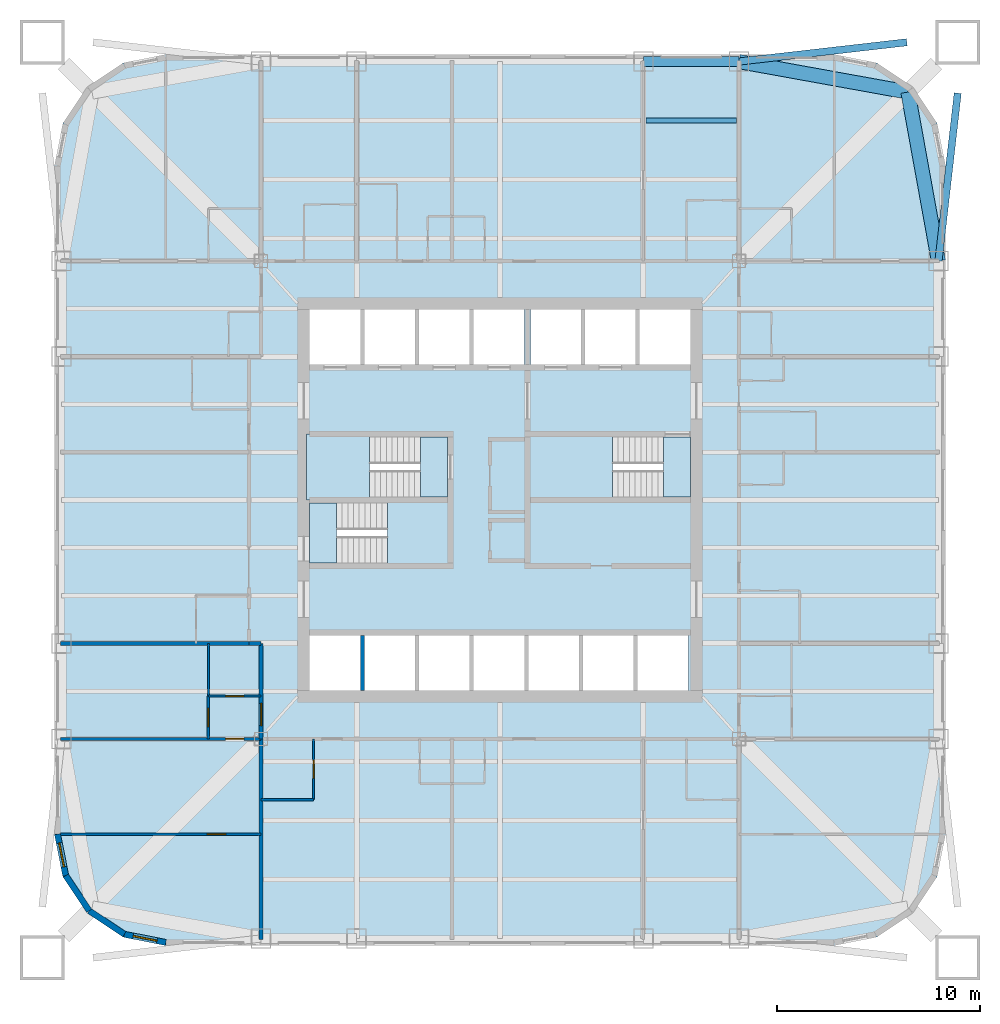
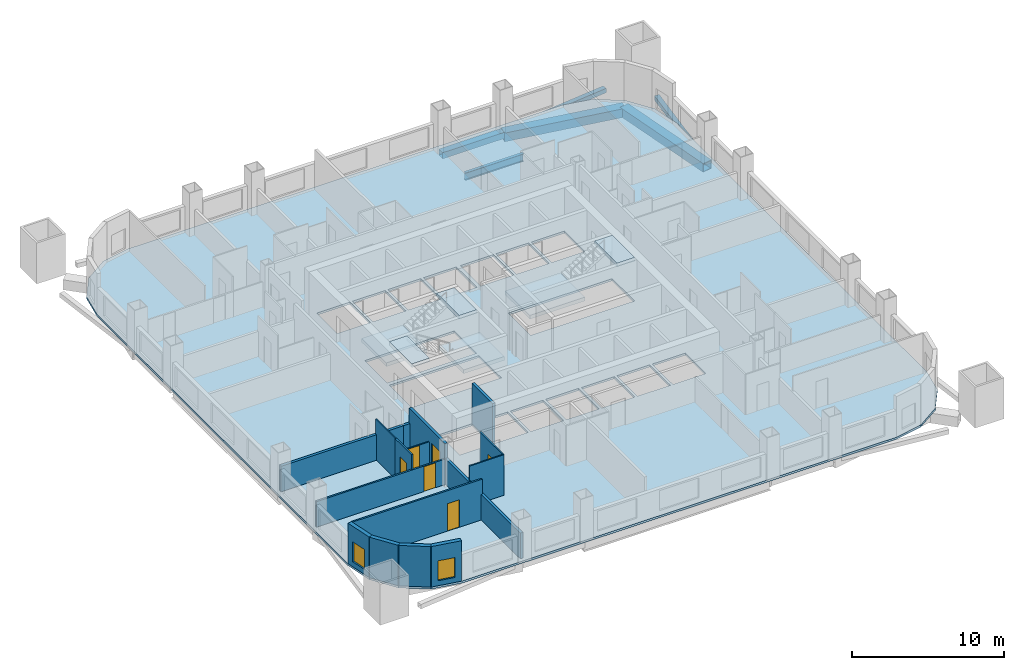
# One storey, part 2 of 9: 16 walls, 7 slabs, 6 beams, 6 doors, 2 windows, 8 openings, 3 elements without a shape of their own.
"""IFC4 building model written with IfcOpenShell, lengths in metres."""

from ifc_helpers import new_model, si_unit, direction, frame, frame_2d, origin, origin_2d, place, context, subcontext, project, spatial, polyline, rectangle, hollow_rectangle, i_section, outline, extrude, material, layer, layer_set, material_profile, profile_set, type_object, element, fill, aggregate, save


model = new_model("IFC4")

# Units and contexts
model_context = context("Model", 3, precision=1e-05, world=origin(), true_north=direction((0.0, 1.0)))
body_context = subcontext(model_context, "Body", "Model", "MODEL_VIEW")
ifc_project = project(units=[si_unit("LENGTHUNIT", "METRE"), si_unit("AREAUNIT", "SQUARE_METRE"), si_unit("VOLUMEUNIT", "CUBIC_METRE"), si_unit("PLANEANGLEUNIT", "RADIAN"), si_unit("MASSUNIT", "GRAM", prefix="KILO")], contexts=[model_context])

# Site, building, storey
site_placement = place(None, origin())
site = spatial("IfcSite", under=ifc_project, at=site_placement, CompositionType="ELEMENT")
building_placement = place(site_placement, origin())
building = spatial("IfcBuilding", under=site, at=building_placement, Name="Turquesa Mirador Hotel Tower", CompositionType="ELEMENT")
storey_placement = place(building_placement, frame((0.0, 0.0, 84.5)))
storey = spatial("IfcBuildingStorey", under=building, at=storey_placement, Name="L22", CompositionType="ELEMENT", Elevation=84.5)

# Beams
ifc_material_1 = material(Name="Steel ASTM A572 Grade 50", Category="steel")
ifc_material_profile_1 = material_profile(ifc_material_1, hollow_rectangle(XDim=0.5, YDim=0.5, WallThickness=0.01611328125, at=origin_2d()), Name="BOX500X500X16")
ifc_profile_set_1 = profile_set([ifc_material_profile_1], Name="Steel ASTM A572 Grade 50")
beam_type_1 = type_object("IfcBeamType", Name="BEAM BOX500X500X16", PredefinedType="BEAM", material=ifc_profile_set_1)
beam_1_placement = place(storey_placement, frame((62.080078125, 66.64990234375, -0.419921875), z_axis=(1.0, 0.0, 0.0), x_axis=(0.0, 1.0, 0.0)))
element("IfcBeam", 1, at=beam_1_placement, inside=storey, type_object=beam_type_1, Name="EB-L22-N-R", PredefinedType="BEAM", context=body_context, shape_type="SweptSolid", body=[
    extrude(hollow_rectangle(XDim=0.5, YDim=0.5, WallThickness=0.01611328125, at=origin_2d()), origin(), (0.0, 0.0, 1.0), 4.719970703125),
])
ifc_material_2 = material(Name="Steel ASTM A572 Grade 50", Category="steel")
ifc_material_profile_2 = material_profile(ifc_material_2, hollow_rectangle(XDim=0.699951171875, YDim=0.699951171875, WallThickness=0.044921875, at=origin_2d()), Name="BOX700X700X45")
ifc_profile_set_2 = profile_set([ifc_material_profile_2], Name="Steel ASTM A572 Grade 50")
beam_type_2 = type_object("IfcBeamType", Name="BEAM BOX700X700X45", PredefinedType="BEAM", material=ifc_profile_set_2)
for number, where, z_axis, x_axis, name in (
    (2, (76.64990234375, 56.800048828125, -0.52001953125), (-0.177932387818, 0.984042715214, 0.0), (-0.984042715214, -0.177932387818, 0.0), "KE-L22-1-0"),
    (3, (75.1416015625, 65.1416015625, -0.52001953125), (-0.984042715214, 0.177932387818, 0.0), (-0.177932387818, -0.984042715214, 0.0), "KE-L22-1-1"),
):
    element("IfcBeam", number, at=place(storey_placement, frame(where, z_axis=z_axis, x_axis=x_axis)), inside=storey, type_object=beam_type_2, Name=name, PredefinedType="BEAM", context=body_context, shape_type="SweptSolid", body=[
        extrude(hollow_rectangle(XDim=0.699951171875, YDim=0.699951171875, WallThickness=0.044921875, at=origin_2d()), origin(), (0.0, 0.0, 1.0), 8.476806640625),
    ])
ifc_material_3 = material(Name="Steel ASTM A992 Grade 50", Category="steel")
ifc_material_profile_3 = material_profile(ifc_material_3, i_section(OverallWidth=0.228271484375, OverallDepth=0.607177734375, WebThickness=0.01123046875, FlangeThickness=0.017333984375, at=origin_2d()), Name="W24X76")
ifc_profile_set_3 = profile_set([ifc_material_profile_3], Name="Steel ASTM A992 Grade 50")
beam_type_3 = type_object("IfcBeamType", Name="BEAM W24X76", PredefinedType="BEAM", material=ifc_profile_set_3)
beam_2_placement = place(storey_placement, frame((62.21337890625, 63.737060546875, -0.4736328125), z_axis=(1.0, 0.0, 0.0), x_axis=(0.0, 1.0, 0.0)))
element("IfcBeam", 4, at=beam_2_placement, inside=storey, type_object=beam_type_3, Name="IB-L22-N-3-3", PredefinedType="BEAM", context=body_context, shape_type="SweptSolid", body=[
    extrude(i_section(OverallWidth=0.228271484375, OverallDepth=0.607177734375, WebThickness=0.01123046875, FlangeThickness=0.017333984375, at=origin_2d()), origin(), (0.0, 0.0, 1.0), 4.453369140625),
])
ifc_material_4 = material(Name="Steel ASTM A500 Grade C", Category="steel")
ifc_material_profile_4 = material_profile(ifc_material_4, hollow_rectangle(XDim=0.355712890625, YDim=0.355712890625, WallThickness=0.0146484375, at=origin_2d()), Name="HSS14X14X5/8")
ifc_profile_set_4 = profile_set([ifc_material_profile_4], Name="Steel ASTM A500 Grade C")
beam_type_4 = type_object("IfcBeamType", Name="BRACE STRUT HSS14X14X5/8", PredefinedType="BEAM", material=ifc_profile_set_4)
for number, where, z_axis, x_axis, name in (
    (5, (75.0888671875, 67.60009765625, -0.347900390625), (-0.993493376505, -0.11388990667, 0.0), (0.11388990667, -0.993493376505, 0.0), "Brace strut"),
    (6, (77.60009765625, 65.0888671875, -0.347900390625), (-0.11388990667, -0.993493376505, 0.0), (0.993493376505, -0.11388990667, 0.0), "Brace strut"),
):
    element("IfcBeam", number, at=place(storey_placement, frame(where, z_axis=z_axis, x_axis=x_axis)), inside=storey, type_object=beam_type_4, Name=name, PredefinedType="BEAM", context=body_context, shape_type="SweptSolid", body=[
        extrude(hollow_rectangle(XDim=0.355712890625, YDim=0.355712890625, WallThickness=0.0146484375, at=origin_2d()), origin(), (0.0, 0.0, 1.0), 8.343017578125),
    ])

# Slab
ifc_material_5 = material(Name="Concrete C28/35", Category="concrete")
ifc_layer_1 = layer(ifc_material_5, 0.169921875)
ifc_layer_set_1 = layer_set([ifc_layer_1], Name="COMPOSITE FLOOR SLAB 170")
slab_type_1 = type_object("IfcSlabType", Name="COMPOSITE FLOOR SLAB 170", PredefinedType="FLOOR", material=ifc_layer_set_1)
slab_1_placement = place(storey_placement, frame((0.0, 0.0, -0.169921875)))
element("IfcSlab", 7, at=slab_1_placement, inside=storey, type_object=slab_type_1, Name="Floor slab L22", PredefinedType="FLOOR", context=body_context, shape_type="SweptSolid", body=[
    extrude(outline(polyline([(71.5, 23.0), (73.604736328125, 23.418701171875), (75.38916015625, 24.61083984375), (76.581298828125, 26.395263671875), (77.0, 28.5), (77.0, 61.5), (76.581298828125, 63.604736328125), (75.38916015625, 65.38916015625), (73.604736328125, 66.581298828125), (71.5, 67.0), (38.5, 67.0), (36.395263671875, 66.581298828125), (34.61083984375, 65.38916015625), (33.418701171875, 63.604736328125), (33.0, 61.5), (33.0, 28.5), (33.418701171875, 26.395263671875), (34.61083984375, 24.61083984375), (36.395263671875, 23.418701171875), (38.5, 23.0), (71.5, 23.0)]), holes=[polyline([(45.60009765625, 51.699951171875), (48.10009765625, 51.699951171875), (48.10009765625, 54.39990234375), (45.60009765625, 54.39990234375), (45.60009765625, 51.699951171875)]), polyline([(48.300048828125, 51.699951171875), (50.800048828125, 51.699951171875), (50.800048828125, 54.39990234375), (48.300048828125, 54.39990234375), (48.300048828125, 51.699951171875)]), polyline([(51.0, 51.699951171875), (53.5, 51.699951171875), (53.5, 54.39990234375), (51.0, 54.39990234375), (51.0, 51.699951171875)]), polyline([(53.699951171875, 51.699951171875), (56.199951171875, 51.699951171875), (56.199951171875, 54.39990234375), (53.699951171875, 54.39990234375), (53.699951171875, 51.699951171875)]), polyline([(56.5, 51.699951171875), (59.0, 51.699951171875), (59.0, 54.39990234375), (56.5, 54.39990234375), (56.5, 51.699951171875)]), polyline([(59.199951171875, 51.699951171875), (61.699951171875, 51.699951171875), (61.699951171875, 54.39990234375), (59.199951171875, 54.39990234375), (59.199951171875, 51.699951171875)]), polyline([(45.60009765625, 35.60009765625), (48.10009765625, 35.60009765625), (48.10009765625, 38.300048828125), (45.60009765625, 38.300048828125), (45.60009765625, 35.60009765625)]), polyline([(48.300048828125, 35.60009765625), (50.800048828125, 35.60009765625), (50.800048828125, 38.300048828125), (48.300048828125, 38.300048828125), (48.300048828125, 35.60009765625)]), polyline([(51.0, 35.60009765625), (53.5, 35.60009765625), (53.5, 38.300048828125), (51.0, 38.300048828125), (51.0, 35.60009765625)]), polyline([(53.699951171875, 35.60009765625), (56.199951171875, 35.60009765625), (56.199951171875, 38.300048828125), (53.699951171875, 38.300048828125), (53.699951171875, 35.60009765625)]), polyline([(56.39990234375, 35.60009765625), (58.89990234375, 35.60009765625), (58.89990234375, 38.300048828125), (56.39990234375, 38.300048828125), (56.39990234375, 35.60009765625)]), polyline([(59.10009765625, 35.60009765625), (61.60009765625, 35.60009765625), (61.60009765625, 38.300048828125), (59.10009765625, 38.300048828125), (59.10009765625, 35.60009765625)]), polyline([(61.800048828125, 35.60009765625), (64.300048828125, 35.60009765625), (64.300048828125, 38.300048828125), (61.800048828125, 38.300048828125), (61.800048828125, 35.60009765625)]), polyline([(45.60009765625, 45.14990234375), (52.39990234375, 45.14990234375), (52.39990234375, 48.10009765625), (45.60009765625, 48.10009765625), (45.60009765625, 45.14990234375)]), polyline([(45.60009765625, 41.89990234375), (52.39990234375, 41.89990234375), (52.39990234375, 44.85009765625), (45.60009765625, 44.85009765625), (45.60009765625, 41.89990234375)]), polyline([(56.5, 45.14990234375), (64.39990234375, 45.14990234375), (64.39990234375, 48.10009765625), (56.5, 48.10009765625), (56.5, 45.14990234375)]), polyline([(61.89990234375, 51.699951171875), (64.39990234375, 51.699951171875), (64.39990234375, 54.39990234375), (61.89990234375, 54.39990234375), (61.89990234375, 51.699951171875)])]), origin(), (0.0, 0.0, 1.0), 0.169921875),
])

# Stair, slabs
ifc_material_6 = material(Name="Concrete C35/45", Category="concrete")
stair_type = type_object("IfcStairType", Name="ESCAPE STAIR CORE", PredefinedType="HALF_TURN_STAIR", material=ifc_material_6)
stair_1_placement = place(storey_placement, origin())
stair_1 = element("IfcStair", 8, at=stair_1_placement, inside=storey, type_object=stair_type, Name="Stair ST1 L22 to L23", PredefinedType="HALF_TURN_STAIR")
ifc_material_7 = material(Name="Concrete C35/45", Category="concrete")
ifc_layer_2 = layer(ifc_material_7, 0.300048828125)
ifc_layer_set_2 = layer_set([ifc_layer_2], Name="STAIR LANDING 300")
slab_type_2 = type_object("IfcSlabType", Name="STAIR LANDING 300", PredefinedType="LANDING", material=ifc_layer_set_2)
slab_2_placement = place(storey_placement, frame((0.0, 0.0, 1.449951171875)))
slab_2 = element("IfcSlab", 9, at=slab_2_placement, type_object=slab_type_2, Name="ST1 landing 1", PredefinedType="LANDING", context=body_context, shape_type="SweptSolid", body=[
    extrude(outline(polyline([(45.449951171875, 45.0), (48.550048828125, 45.0), (48.550048828125, 48.25), (45.449951171875, 48.25), (45.449951171875, 45.0)])), origin(), (0.0, 0.0, 1.0), 0.300048828125),
])
slab_3_placement = place(storey_placement, frame((0.0, 0.0, 3.199951171875)))
slab_3 = element("IfcSlab", 10, at=slab_3_placement, type_object=slab_type_2, Name="ST1 landing 2", PredefinedType="LANDING", context=body_context, shape_type="SweptSolid", body=[
    extrude(outline(polyline([(51.070068359375, 45.14990234375), (52.39990234375, 45.14990234375), (52.39990234375, 48.10009765625), (51.070068359375, 48.10009765625), (51.070068359375, 45.14990234375)])), origin(), (0.0, 0.0, 1.0), 0.300048828125),
])
aggregate(stair_1, [slab_2, slab_3])

stair_2_placement = place(storey_placement, origin())
stair_2 = element("IfcStair", 11, at=stair_2_placement, inside=storey, type_object=stair_type, Name="Stair ST2 L22 to L23", PredefinedType="HALF_TURN_STAIR")
slab_4_placement = place(storey_placement, frame((0.0, 0.0, 1.449951171875)))
slab_4 = element("IfcSlab", 12, at=slab_4_placement, type_object=slab_type_2, Name="ST2 landing 1", PredefinedType="LANDING", context=body_context, shape_type="SweptSolid", body=[
    extrude(outline(polyline([(52.550048828125, 45.0), (49.449951171875, 45.0), (49.449951171875, 41.75), (52.550048828125, 41.75), (52.550048828125, 45.0)])), origin(), (0.0, 0.0, 1.0), 0.300048828125),
])
slab_5_placement = place(storey_placement, frame((0.0, 0.0, 3.199951171875)))
slab_5 = element("IfcSlab", 13, at=slab_5_placement, type_object=slab_type_2, Name="ST2 landing 2", PredefinedType="LANDING", context=body_context, shape_type="SweptSolid", body=[
    extrude(outline(polyline([(46.929931640625, 44.85009765625), (45.60009765625, 44.85009765625), (45.60009765625, 41.89990234375), (46.929931640625, 41.89990234375), (46.929931640625, 44.85009765625)])), origin(), (0.0, 0.0, 1.0), 0.300048828125),
])
aggregate(stair_2, [slab_4, slab_5])

stair_3_placement = place(storey_placement, origin())
stair_3 = element("IfcStair", 14, at=stair_3_placement, inside=storey, type_object=stair_type, Name="Stair ST3 L22 to L23", PredefinedType="HALF_TURN_STAIR")
slab_6_placement = place(storey_placement, frame((0.0, 0.0, 1.449951171875)))
slab_6 = element("IfcSlab", 15, at=slab_6_placement, type_object=slab_type_2, Name="ST3 landing 1", PredefinedType="LANDING", context=body_context, shape_type="SweptSolid", body=[
    extrude(outline(polyline([(56.35009765625, 45.0), (60.550048828125, 45.0), (60.550048828125, 48.25), (56.35009765625, 48.25), (56.35009765625, 45.0)])), origin(), (0.0, 0.0, 1.0), 0.300048828125),
])
slab_7_placement = place(storey_placement, frame((0.0, 0.0, 3.199951171875)))
slab_7 = element("IfcSlab", 16, at=slab_7_placement, type_object=slab_type_2, Name="ST3 landing 2", PredefinedType="LANDING", context=body_context, shape_type="SweptSolid", body=[
    extrude(outline(polyline([(63.070068359375, 45.14990234375), (64.39990234375, 45.14990234375), (64.39990234375, 48.10009765625), (63.070068359375, 48.10009765625), (63.070068359375, 45.14990234375)])), origin(), (0.0, 0.0, 1.0), 0.300048828125),
])
aggregate(stair_3, [slab_6, slab_7])

# Wall
ifc_material_8 = material(Name="Gypsum board on steel studs", Category="steel")
ifc_layer_3 = layer(ifc_material_8, 0.10009765625)
ifc_layer_set_3 = layer_set([ifc_layer_3], Name="BATHROOM WALL 100")
wall_type_1 = type_object("IfcWallType", Name="BATHROOM WALL 100", PredefinedType="PARTITIONING", material=ifc_layer_set_3)
wall_1_placement = place(storey_placement, frame((43.199951171875, 30.199951171875, 0.0), z_axis=(0.0, 0.0, 1.0), x_axis=(1.0, 0.0, 0.0)))
element("IfcWall", 17, at=wall_1_placement, inside=storey, type_object=wall_type_1, Name="Partition L22 006", PredefinedType="PARTITIONING", context=body_context, shape_type="SweptSolid", body=[
    extrude(rectangle(XDim=2.60009765625, YDim=0.10009765625, at=frame_2d((1.300048828125, 0.0))), origin(), (0.0, 0.0, 1.0), 3.25),
])

# Wall, opening, door
wall_2_placement = place(storey_placement, frame((40.60009765625, 35.320068359375, 0.0), z_axis=(0.0, 0.0, 1.0), x_axis=(1.0, 0.0, 0.0)))
wall_2 = element("IfcWall", 18, at=wall_2_placement, inside=storey, type_object=wall_type_1, Name="Partition L22 015", PredefinedType="PARTITIONING", context=body_context, shape_type="SweptSolid", body=[
    extrude(rectangle(XDim=2.599853515625, YDim=0.10009765625, at=frame_2d((1.2998046875, 0.0))), origin(), (0.0, 0.0, 1.0), 2.13232421875),
])
opening_1_placement = place(wall_2_placement, frame((0.85009765625, 0.0, 0.0)))
opening_1 = element("IfcOpeningElement", 19, at=opening_1_placement, cuts=wall_2, Name="Opening D02", PredefinedType="OPENING", context=body_context, shape_type="SweptSolid", body=[
    extrude(rectangle(XDim=0.89990234375, YDim=2.10009765625, at=frame_2d((0.449951171875, 1.050048828125))), frame((0.0, 0.06005859375, 0.0), z_axis=(0.0, -1.0, 0.0), x_axis=(1.0, 0.0, 0.0)), (0.0, 0.0, 1.0), 0.1201171875),
])
ifc_material_9 = material(Name="Timber veneered door", Category="wood")
door_type_1 = type_object("IfcDoorType", Name="DOOR 900X2100 EN-SUITE", OperationType="SINGLE_SWING_RIGHT", PredefinedType="DOOR", material=ifc_material_9)
door_1_placement = place(opening_1_placement, origin())
door_1 = element("IfcDoor", 20, at=door_1_placement, inside=storey, type_object=door_type_1, Name="Door 2211B", OperationType="SINGLE_SWING_RIGHT", OverallHeight=2.10009765625, OverallWidth=0.89990234375, PredefinedType="DOOR", context=body_context, shape_type="SweptSolid", body=[
    extrude(rectangle(XDim=0.89990234375, YDim=2.10009765625, at=frame_2d((0.449951171875, 1.050048828125))), frame((0.0, 0.02490234375, 0.0), z_axis=(0.0, -1.0, 0.0), x_axis=(1.0, 0.0, 0.0)), (0.0, 0.0, 1.0), 0.050048828125),
])
fill(opening_1, door_1)

# Wall
wall_3_placement = place(storey_placement, frame((40.60009765625, 35.320068359375, 0.0), z_axis=(0.0, 0.0, 1.0), x_axis=(0.0, 1.0, 0.0)))
element("IfcWall", 21, at=wall_3_placement, inside=storey, type_object=wall_type_1, Name="Partition L22 048", PredefinedType="PARTITIONING", context=body_context, shape_type="SweptSolid", body=[
    extrude(rectangle(XDim=2.599853515625, YDim=0.10009765625, at=frame_2d((1.2998046875, 0.0))), origin(), (0.0, 0.0, 1.0), 3.25),
])

# Wall, opening, door
wall_4_placement = place(storey_placement, frame((45.800048828125, 30.199951171875, 0.0), z_axis=(0.0, 0.0, 1.0), x_axis=(0.0, 1.0, 0.0)))
wall_4 = element("IfcWall", 22, at=wall_4_placement, inside=storey, type_object=wall_type_1, Name="Partition L22 060", PredefinedType="PARTITIONING", context=body_context, shape_type="SweptSolid", body=[
    extrude(rectangle(XDim=3.0, YDim=0.10009765625, at=frame_2d((1.5, 0.0))), origin(), (0.0, 0.0, 1.0), 3.25),
])
opening_2_placement = place(wall_4_placement, frame((1.050048828125, 0.0, 0.0)))
opening_2 = element("IfcOpeningElement", 23, at=opening_2_placement, cuts=wall_4, Name="Opening D02", PredefinedType="OPENING", context=body_context, shape_type="SweptSolid", body=[
    extrude(rectangle(XDim=0.89990234375, YDim=2.10009765625, at=frame_2d((0.449951171875, 1.050048828125))), frame((0.0, 0.06005859375, 0.0), z_axis=(0.0, -1.0, 0.0), x_axis=(1.0, 0.0, 0.0)), (0.0, 0.0, 1.0), 0.1201171875),
])
door_2_placement = place(opening_2_placement, origin())
door_2 = element("IfcDoor", 24, at=door_2_placement, inside=storey, type_object=door_type_1, Name="Door 2204B", OperationType="SINGLE_SWING_RIGHT", OverallHeight=2.10009765625, OverallWidth=0.89990234375, PredefinedType="DOOR", context=body_context, shape_type="SweptSolid", body=[
    extrude(rectangle(XDim=0.89990234375, YDim=2.10009765625, at=frame_2d((0.449951171875, 1.050048828125))), frame((0.0, 0.02490234375, 0.0), z_axis=(0.0, -1.0, 0.0), x_axis=(1.0, 0.0, 0.0)), (0.0, 0.0, 1.0), 0.050048828125),
])
fill(opening_2, door_2)

# Wall
ifc_material_10 = material(Name="Fire-rated gypsum board on steel studs", Category="steel")
ifc_layer_4 = layer(ifc_material_10, 0.199951171875)
ifc_layer_set_4 = layer_set([ifc_layer_4], Name="CORRIDOR WALL 200")
wall_type_2 = type_object("IfcWallType", Name="CORRIDOR WALL 200", PredefinedType="PARTITIONING", material=ifc_layer_set_4)
wall_5_placement = place(storey_placement, frame((42.60009765625, 37.919921875, 0.0), z_axis=(0.0, 0.0, 1.0), x_axis=(1.0, 0.0, 0.0)))
element("IfcWall", 25, at=wall_5_placement, inside=storey, type_object=wall_type_2, Name="Partition L22 012", PredefinedType="PARTITIONING", context=body_context, shape_type="SweptSolid", body=[
    extrude(rectangle(XDim=0.599853515625, YDim=0.199951171875, at=frame_2d((0.2998046875, 0.0))), origin(), (0.0, 0.0, 1.0), 2.050048828125),
])

# Wall, opening, door
wall_6_placement = place(storey_placement, frame((43.199951171875, 33.199951171875, 0.0), z_axis=(0.0, 0.0, 1.0), x_axis=(0.0, 1.0, 0.0)))
wall_6 = element("IfcWall", 26, at=wall_6_placement, inside=storey, type_object=wall_type_2, Name="Partition L22 042", PredefinedType="PARTITIONING", context=body_context, shape_type="SweptSolid", body=[
    extrude(rectangle(XDim=4.719970703125, YDim=0.199951171875, at=frame_2d((2.35986328125, 0.0))), origin(), (0.0, 0.0, 1.0), 3.25),
])
opening_3_placement = place(wall_6_placement, frame((0.659912109375, 0.0, 0.0)))
opening_3 = element("IfcOpeningElement", 27, at=opening_3_placement, cuts=wall_6, Name="Opening D15", PredefinedType="OPENING", context=body_context, shape_type="SweptSolid", body=[
    extrude(rectangle(XDim=1.10009765625, YDim=2.199951171875, at=frame_2d((0.550048828125, 1.10009765625))), frame((0.0, 0.10986328125, 0.0), z_axis=(0.0, -1.0, 0.0), x_axis=(1.0, 0.0, 0.0)), (0.0, 0.0, 1.0), 0.219970703125),
])
ifc_material_11 = material(Name="Timber veneered fire door", Category="wood")
door_type_2 = type_object("IfcDoorType", Name="DOOR 1100X2200 SUITE ENTRY", OperationType="SINGLE_SWING_LEFT", PredefinedType="DOOR", material=ifc_material_11)
door_3_placement = place(opening_3_placement, origin())
door_3 = element("IfcDoor", 28, at=door_3_placement, inside=storey, type_object=door_type_2, Name="Door 2211H", OperationType="SINGLE_SWING_LEFT", OverallHeight=2.199951171875, OverallWidth=1.10009765625, PredefinedType="DOOR", context=body_context, shape_type="SweptSolid", body=[
    extrude(rectangle(XDim=1.10009765625, YDim=2.199951171875, at=frame_2d((0.550048828125, 1.10009765625))), frame((0.0, 0.02490234375, 0.0), z_axis=(0.0, -1.0, 0.0), x_axis=(1.0, 0.0, 0.0)), (0.0, 0.0, 1.0), 0.050048828125),
])
fill(opening_3, door_3)

# Wall, opening, window
ifc_material_12 = material(Name="Limestone cladding on concrete block", Category="masonry")
ifc_layer_5 = layer(ifc_material_12, 0.300048828125)
ifc_layer_set_5 = layer_set([ifc_layer_5], Name="FACADE WALL 300 STONE SCREEN")
wall_type_3 = type_object("IfcWallType", Name="FACADE WALL 300 STONE SCREEN", PredefinedType="SOLIDWALL", material=ifc_layer_set_5)
wall_7_placement = place(storey_placement, frame((33.14990234375, 28.5, 0.0), z_axis=(0.0, 0.0, 1.0), x_axis=(0.195081421501, -0.980787050784, 0.0)))
wall_7 = element("IfcWall", 29, at=wall_7_placement, inside=storey, type_object=wall_type_3, Name="Facade wall L22 15", PredefinedType="SOLIDWALL", context=body_context, shape_type="SweptSolid", body=[
    extrude(rectangle(XDim=2.08740234375, YDim=0.300048828125, at=frame_2d((1.043701171875, 0.0))), origin(), (0.0, 0.0, 1.0), 3.25),
])
opening_4_placement = place(wall_7_placement, frame((0.443603515625, 0.0, 0.39990234375)))
opening_4 = element("IfcOpeningElement", 30, at=opening_4_placement, cuts=wall_7, Name="Opening WN8", PredefinedType="OPENING", context=body_context, shape_type="SweptSolid", body=[
    extrude(rectangle(XDim=1.199951171875, YDim=1.60009765625, at=frame_2d((0.60009765625, 0.800048828125))), frame((0.0, 0.159912109375, 0.0), z_axis=(0.0, -1.0, 0.0), x_axis=(1.0, 0.0, 0.0)), (0.0, 0.0, 1.0), 0.320068359375),
])
ifc_material_13 = material(Name="Ceramic-fritted laminated glass", Category="glass")
window_type = type_object("IfcWindowType", Name="FRITTED CORNER WINDOW 1200X1600", PartitioningType="DOUBLE_PANEL_HORIZONTAL", PredefinedType="WINDOW", material=ifc_material_13)
window_1_placement = place(opening_4_placement, origin())
window_1 = element("IfcWindow", 31, at=window_1_placement, inside=storey, type_object=window_type, Name="Window L22", OverallHeight=1.60009765625, OverallWidth=1.199951171875, PartitioningType="SINGLE_PANEL", PredefinedType="WINDOW", context=body_context, shape_type="SweptSolid", body=[
    extrude(rectangle(XDim=1.199951171875, YDim=1.60009765625, at=frame_2d((0.60009765625, 0.800048828125))), frame((0.0, 0.030029296875, 0.0), z_axis=(0.0, -1.0, 0.0), x_axis=(1.0, 0.0, 0.0)), (0.0, 0.0, 1.0), 0.06005859375),
])
fill(opening_4, window_1)

# Walls
for number, where, z_axis, x_axis, name in (
    (32, (33.55712890625, 26.45263671875, 0.0), (0.0, 0.0, 1.0), (0.555644460423, -0.831420010345, 0.0), "Facade wall L22 16"),
    (33, (34.717041015625, 24.717041015625, 0.0), (0.0, 0.0, 1.0), (0.831420010345, -0.555644460423, 0.0), "Facade wall L22 17"),
):
    element("IfcWall", number, at=place(storey_placement, frame(where, z_axis=z_axis, x_axis=x_axis)), inside=storey, type_object=wall_type_3, Name=name, PredefinedType="SOLIDWALL", context=body_context, shape_type="SweptSolid", body=[
        extrude(rectangle(XDim=2.08740234375, YDim=0.300048828125, at=frame_2d((1.043701171875, 0.0))), origin(), (0.0, 0.0, 1.0), 3.25),
    ])

# Wall, opening, window
wall_8_placement = place(storey_placement, frame((36.45263671875, 23.55712890625, 0.0), z_axis=(0.0, 0.0, 1.0), x_axis=(0.980787050784, -0.195081421501, 0.0)))
wall_8 = element("IfcWall", 34, at=wall_8_placement, inside=storey, type_object=wall_type_3, Name="Facade wall L22 18", PredefinedType="SOLIDWALL", context=body_context, shape_type="SweptSolid", body=[
    extrude(rectangle(XDim=2.08740234375, YDim=0.300048828125, at=frame_2d((1.043701171875, 0.0))), origin(), (0.0, 0.0, 1.0), 3.25),
])
opening_5_placement = place(wall_8_placement, frame((0.443603515625, 0.0, 0.39990234375)))
opening_5 = element("IfcOpeningElement", 35, at=opening_5_placement, cuts=wall_8, Name="Opening WN8", PredefinedType="OPENING", context=body_context, shape_type="SweptSolid", body=[
    extrude(rectangle(XDim=1.199951171875, YDim=1.60009765625, at=frame_2d((0.60009765625, 0.800048828125))), frame((0.0, 0.159912109375, 0.0), z_axis=(0.0, -1.0, 0.0), x_axis=(1.0, 0.0, 0.0)), (0.0, 0.0, 1.0), 0.320068359375),
])
window_2_placement = place(opening_5_placement, origin())
window_2 = element("IfcWindow", 36, at=window_2_placement, inside=storey, type_object=window_type, Name="Window L22", OverallHeight=1.60009765625, OverallWidth=1.199951171875, PartitioningType="SINGLE_PANEL", PredefinedType="WINDOW", context=body_context, shape_type="SweptSolid", body=[
    extrude(rectangle(XDim=1.199951171875, YDim=1.60009765625, at=frame_2d((0.60009765625, 0.800048828125))), frame((0.0, 0.030029296875, 0.0), z_axis=(0.0, -1.0, 0.0), x_axis=(1.0, 0.0, 0.0)), (0.0, 0.0, 1.0), 0.06005859375),
])
fill(opening_5, window_2)

# Walls
ifc_material_14 = material(Name="Fire-rated gypsum shaft wall on steel studs", Category="steel")
ifc_layer_6 = layer(ifc_material_14, 0.199951171875)
ifc_layer_set_6 = layer_set([ifc_layer_6], Name="LIFT SHAFT DIVIDER 200")
wall_type_4 = type_object("IfcWallType", Name="LIFT SHAFT DIVIDER 200", PredefinedType="PARTITIONING", material=ifc_layer_set_6)
wall_9_placement = place(storey_placement, frame((48.199951171875, 35.60009765625, 0.0), z_axis=(0.0, 0.0, 1.0), x_axis=(0.0, 1.0, 0.0)))
element("IfcWall", 37, at=wall_9_placement, inside=storey, type_object=wall_type_4, Name="Lift shaft divider", PredefinedType="PARTITIONING", context=body_context, shape_type="SweptSolid", body=[
    extrude(rectangle(XDim=2.699951171875, YDim=0.199951171875, at=frame_2d((1.35009765625, 0.0))), origin(), (0.0, 0.0, 1.0), 3.25),
])
ifc_material_15 = material(Name="Fire-rated gypsum board on steel studs", Category="steel")
ifc_layer_7 = layer(ifc_material_15, 0.199951171875)
ifc_layer_set_7 = layer_set([ifc_layer_7], Name="PARTY WALL 200")
wall_type_5 = type_object("IfcWallType", Name="PARTY WALL 200", PredefinedType="PARTITIONING", material=ifc_layer_set_7)
wall_10_placement = place(storey_placement, frame((33.300048828125, 37.919921875, 0.0), z_axis=(0.0, 0.0, 1.0), x_axis=(1.0, 0.0, 0.0)))
element("IfcWall", 38, at=wall_10_placement, inside=storey, type_object=wall_type_5, Name="Partition L22 013", PredefinedType="PARTITIONING", context=body_context, shape_type="SweptSolid", body=[
    extrude(rectangle(XDim=9.300048828125, YDim=0.199951171875, at=frame_2d((4.64990234375, 0.0))), origin(), (0.0, 0.0, 1.0), 2.050048828125),
])
wall_11_placement = place(storey_placement, frame((43.199951171875, 23.300048828125, 0.0), z_axis=(0.0, 0.0, 1.0), x_axis=(0.0, 1.0, 0.0)))
element("IfcWall", 39, at=wall_11_placement, inside=storey, type_object=wall_type_5, Name="Partition L22 044", PredefinedType="PARTITIONING", context=body_context, shape_type="SweptSolid", body=[
    extrude(rectangle(XDim=9.89990234375, YDim=0.199951171875, at=frame_2d((4.949951171875, 0.0))), origin(), (0.0, 0.0, 1.0), 2.050048828125),
])

# Wall, opening, door
ifc_material_16 = material(Name="Acoustic gypsum board on steel studs", Category="steel")
ifc_layer_8 = layer(ifc_material_16, 0.125)
ifc_layer_set_8 = layer_set([ifc_layer_8], Name="SUITE PARTITION 125")
wall_type_6 = type_object("IfcWallType", Name="SUITE PARTITION 125", PredefinedType="PARTITIONING", material=ifc_layer_set_8)
wall_12_placement = place(storey_placement, frame((33.300048828125, 33.199951171875, 0.0), z_axis=(0.0, 0.0, 1.0), x_axis=(1.0, 0.0, 0.0)))
wall_12 = element("IfcWall", 40, at=wall_12_placement, inside=storey, type_object=wall_type_6, Name="Partition L22 002", PredefinedType="PARTITIONING", context=body_context, shape_type="SweptSolid", body=[
    extrude(rectangle(XDim=9.89990234375, YDim=0.125, at=frame_2d((4.949951171875, 0.0))), origin(), (0.0, 0.0, 1.0), 2.050048828125),
])
opening_6_placement = place(wall_12_placement, frame((8.14990234375, 0.0, 0.0)))
opening_6 = element("IfcOpeningElement", 41, at=opening_6_placement, cuts=wall_12, Name="Opening D24", PredefinedType="OPENING", context=body_context, shape_type="SweptSolid", body=[
    extrude(rectangle(XDim=0.89990234375, YDim=2.0, at=frame_2d((0.449951171875, 1.0))), frame((0.0, 0.072509765625, 0.0), z_axis=(0.0, -1.0, 0.0), x_axis=(1.0, 0.0, 0.0)), (0.0, 0.0, 1.0), 0.14501953125),
])
ifc_material_17 = material(Name="Timber veneered door", Category="wood")
door_type_3 = type_object("IfcDoorType", Name="DOOR 900X2000 SUITE INTERNAL", OperationType="SINGLE_SWING_LEFT", PredefinedType="DOOR", material=ifc_material_17)
door_4_placement = place(opening_6_placement, origin())
door_4 = element("IfcDoor", 42, at=door_4_placement, inside=storey, type_object=door_type_3, Name="Door 2211", OperationType="SINGLE_SWING_LEFT", OverallHeight=2.0, OverallWidth=0.89990234375, PredefinedType="DOOR", context=body_context, shape_type="SweptSolid", body=[
    extrude(rectangle(XDim=0.89990234375, YDim=2.0, at=frame_2d((0.449951171875, 1.0))), frame((0.0, 0.02490234375, 0.0), z_axis=(0.0, -1.0, 0.0), x_axis=(1.0, 0.0, 0.0)), (0.0, 0.0, 1.0), 0.050048828125),
])
fill(opening_6, door_4)

wall_13_placement = place(storey_placement, frame((33.305908203125, 28.5, 0.0), z_axis=(0.0, 0.0, 1.0), x_axis=(1.0, 0.0, 0.0)))
wall_13 = element("IfcWall", 43, at=wall_13_placement, inside=storey, type_object=wall_type_6, Name="Partition L22 008", PredefinedType="PARTITIONING", context=body_context, shape_type="SweptSolid", body=[
    extrude(rectangle(XDim=9.89404296875, YDim=0.125, at=frame_2d((4.947021484375, 0.0))), origin(), (0.0, 0.0, 1.0), 3.25),
])
opening_7_placement = place(wall_13_placement, frame((7.244140625, 0.0, 0.0)))
opening_7 = element("IfcOpeningElement", 44, at=opening_7_placement, cuts=wall_13, Name="Opening D17", PredefinedType="OPENING", context=body_context, shape_type="SweptSolid", body=[
    extrude(rectangle(XDim=0.89990234375, YDim=2.199951171875, at=frame_2d((0.449951171875, 1.10009765625))), frame((0.0, 0.072509765625, 0.0), z_axis=(0.0, -1.0, 0.0), x_axis=(1.0, 0.0, 0.0)), (0.0, 0.0, 1.0), 0.14501953125),
])
ifc_material_18 = material(Name="Timber veneered door", Category="wood")
door_type_4 = type_object("IfcDoorType", Name="DOOR 900X2200 SUITE INTERNAL", OperationType="SINGLE_SWING_LEFT", PredefinedType="DOOR", material=ifc_material_18)
door_5_placement = place(opening_7_placement, origin())
door_5 = element("IfcDoor", 45, at=door_5_placement, inside=storey, type_object=door_type_4, Name="Door 2211M", OperationType="SINGLE_SWING_LEFT", OverallHeight=2.199951171875, OverallWidth=0.89990234375, PredefinedType="DOOR", context=body_context, shape_type="SweptSolid", body=[
    extrude(rectangle(XDim=0.89990234375, YDim=2.199951171875, at=frame_2d((0.449951171875, 1.10009765625))), frame((0.0, 0.02490234375, 0.0), z_axis=(0.0, -1.0, 0.0), x_axis=(1.0, 0.0, 0.0)), (0.0, 0.0, 1.0), 0.050048828125),
])
fill(opening_7, door_5)

wall_14_placement = place(storey_placement, frame((40.60009765625, 33.199951171875, 0.0), z_axis=(0.0, 0.0, 1.0), x_axis=(0.0, 1.0, 0.0)))
wall_14 = element("IfcWall", 46, at=wall_14_placement, inside=storey, type_object=wall_type_6, Name="Partition L22 050", PredefinedType="PARTITIONING", context=body_context, shape_type="SweptSolid", body=[
    extrude(rectangle(XDim=2.1201171875, YDim=0.125, at=frame_2d((1.06005859375, 0.0))), origin(), (0.0, 0.0, 1.0), 3.25),
])
opening_8_placement = place(wall_14_placement, frame((0.610107421875, 0.0, 0.0)))
opening_8 = element("IfcOpeningElement", 47, at=opening_8_placement, cuts=wall_14, Name="Opening D17", PredefinedType="OPENING", context=body_context, shape_type="SweptSolid", body=[
    extrude(rectangle(XDim=0.89990234375, YDim=2.199951171875, at=frame_2d((0.449951171875, 1.10009765625))), frame((0.0, 0.072509765625, 0.0), z_axis=(0.0, -1.0, 0.0), x_axis=(1.0, 0.0, 0.0)), (0.0, 0.0, 1.0), 0.14501953125),
])
door_6_placement = place(opening_8_placement, origin())
door_6 = element("IfcDoor", 48, at=door_6_placement, inside=storey, type_object=door_type_4, Name="Door 2211R", OperationType="SINGLE_SWING_LEFT", OverallHeight=2.199951171875, OverallWidth=0.89990234375, PredefinedType="DOOR", context=body_context, shape_type="SweptSolid", body=[
    extrude(rectangle(XDim=0.89990234375, YDim=2.199951171875, at=frame_2d((0.449951171875, 1.10009765625))), frame((0.0, 0.02490234375, 0.0), z_axis=(0.0, -1.0, 0.0), x_axis=(1.0, 0.0, 0.0)), (0.0, 0.0, 1.0), 0.050048828125),
])
fill(opening_8, door_6)

save(model, "model.ifc")
